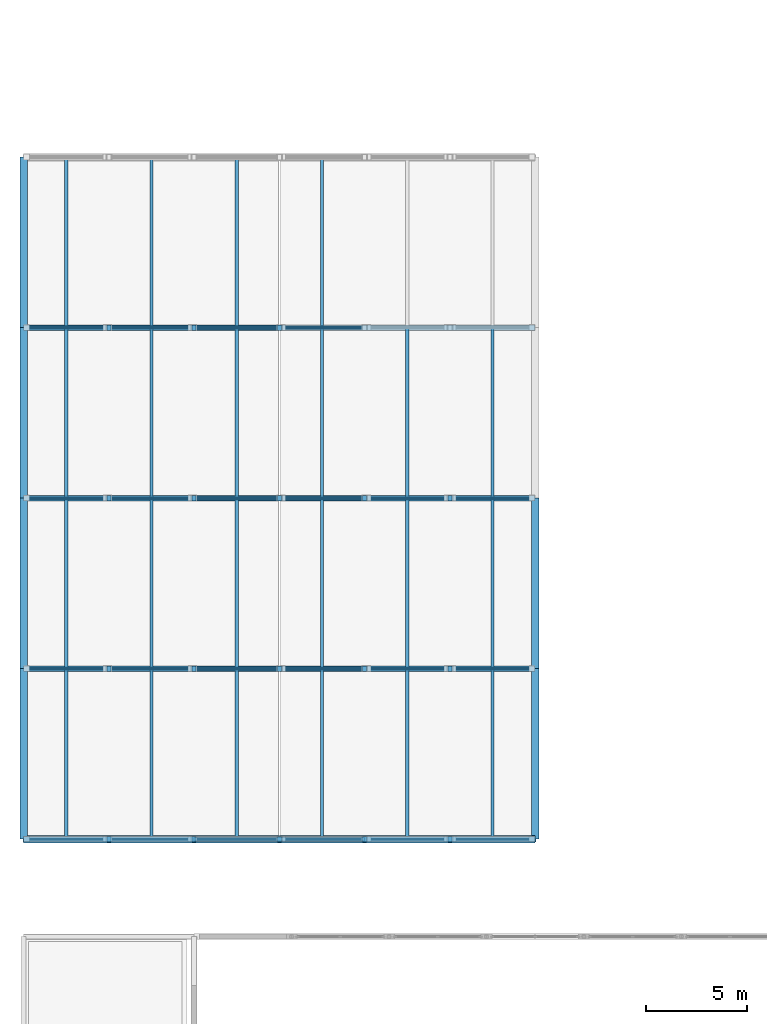
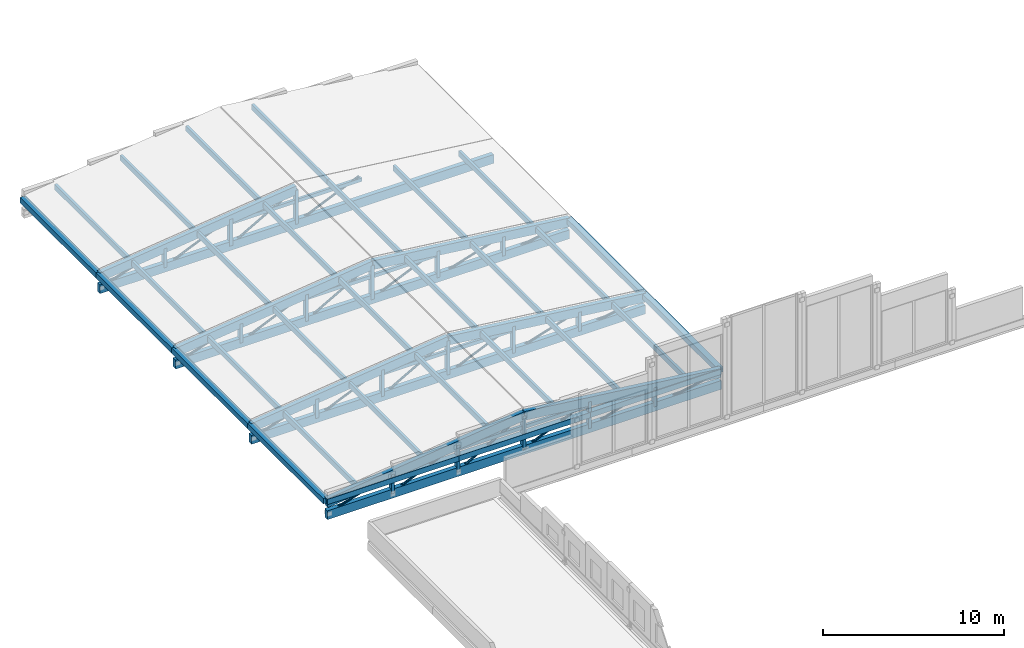
# One storey, part 9 of 34: 77 members, 9 beams.
"""IFC4 building model written with IfcOpenShell, lengths in metres."""

from ifc_helpers import new_model, si_unit, direction, frame, origin, origin_2d, place, context, subcontext, project, spatial, rectangle, hollow_circle, extrude, material, material_profile, profile_set, type_object, element, save


model = new_model("IFC4")

# Units and contexts
model_context = context("Model", 3, precision=1e-05, world=origin(), true_north=direction((0.0, 1.0)))
body_context = subcontext(model_context, "Body", "Model", "MODEL_VIEW")
ifc_project = project(units=[si_unit("LENGTHUNIT", "METRE"), si_unit("AREAUNIT", "SQUARE_METRE"), si_unit("VOLUMEUNIT", "CUBIC_METRE"), si_unit("PLANEANGLEUNIT", "RADIAN"), si_unit("MASSUNIT", "GRAM", prefix="KILO")], contexts=[model_context])

# Site, building, storey
site_placement = place(None, origin())
site = spatial("IfcSite", under=ifc_project, at=site_placement, CompositionType="ELEMENT")
building_placement = place(site_placement, origin())
building = spatial("IfcBuilding", under=site, at=building_placement, Name="Kahlenmark Community Centre", CompositionType="ELEMENT")
storey_placement = place(building_placement, frame((0.0, 0.0, 17.699951171875)))
storey = spatial("IfcBuildingStorey", under=building, at=storey_placement, Name="L04", CompositionType="ELEMENT", Elevation=17.699951171875)

# Beams
ifc_material_1 = material(Name="Glulam GL32h", Category="wood")
ifc_material_profile_1 = material_profile(ifc_material_1, rectangle(XDim=0.360107421875, YDim=0.360107421875, at=origin_2d()), Name="GL32h 360x360")
ifc_profile_set_1 = profile_set([ifc_material_profile_1], Name="Glulam GL32h")
beam_type = type_object("IfcBeamType", Name="BT-SPANDREL-GL32h360x360", PredefinedType="SPANDREL", material=ifc_profile_set_1)
beam_1_placement = place(storey_placement, frame((4.0, 42.39990234375, -0.3798828125), z_axis=(0.0, 1.0, 0.0), x_axis=(-1.0, 0.0, 0.0)))
element("IfcBeam", 1, at=beam_1_placement, inside=storey, type_object=beam_type, Name="L04 spandrel SP-EAV400", PredefinedType="SPANDREL", context=body_context, shape_type="SweptSolid", body=[
    extrude(rectangle(XDim=0.360107421875, YDim=0.360107421875, at=origin_2d()), origin(), (0.0, 0.0, 1.0), 8.400146484375),
])
beam_2_placement = place(storey_placement, frame((4.0, 50.800048828125, -0.3798828125), z_axis=(0.0, 1.0, 0.0), x_axis=(-1.0, 0.0, 0.0)))
element("IfcBeam", 2, at=beam_2_placement, inside=storey, type_object=beam_type, Name="L04 spandrel SP-EAV400", PredefinedType="SPANDREL", context=body_context, shape_type="SweptSolid", body=[
    extrude(rectangle(XDim=0.360107421875, YDim=0.360107421875, at=origin_2d()), origin(), (0.0, 0.0, 1.0), 8.39990234375),
])
beam_3_placement = place(storey_placement, frame((4.0, 59.199951171875, -0.3798828125), z_axis=(0.0, 1.0, 0.0), x_axis=(-1.0, 0.0, 0.0)))
element("IfcBeam", 3, at=beam_3_placement, inside=storey, type_object=beam_type, Name="L04 spandrel SP-EAV400", PredefinedType="SPANDREL", context=body_context, shape_type="SweptSolid", body=[
    extrude(rectangle(XDim=0.360107421875, YDim=0.360107421875, at=origin_2d()), origin(), (0.0, 0.0, 1.0), 8.400146484375),
])
beam_4_placement = place(storey_placement, frame((4.0, 67.60009765625, -0.3798828125), z_axis=(0.0, 1.0, 0.0), x_axis=(-1.0, 0.0, 0.0)))
element("IfcBeam", 4, at=beam_4_placement, inside=storey, type_object=beam_type, Name="L04 spandrel SP-EAV400", PredefinedType="SPANDREL", context=body_context, shape_type="SweptSolid", body=[
    extrude(rectangle(XDim=0.360107421875, YDim=0.360107421875, at=origin_2d()), origin(), (0.0, 0.0, 1.0), 8.39990234375),
])
beam_5_placement = place(storey_placement, frame((29.199951171875, 42.39990234375, -0.3798828125), z_axis=(0.0, 1.0, 0.0), x_axis=(-1.0, 0.0, 0.0)))
element("IfcBeam", 5, at=beam_5_placement, inside=storey, type_object=beam_type, Name="L04 spandrel SP-EAV400", PredefinedType="SPANDREL", context=body_context, shape_type="SweptSolid", body=[
    extrude(rectangle(XDim=0.360107421875, YDim=0.360107421875, at=origin_2d()), origin(), (0.0, 0.0, 1.0), 8.400146484375),
])
for number, where, z_axis, x_axis, name in (
    (6, (29.199951171875, 50.800048828125, -0.3798828125), (0.0, 1.0, 0.0), (-1.0, 0.0, 0.0), "L04 spandrel SP-EAV400"),
    (7, (4.0, 42.39990234375, -0.3798828125), (1.0, 0.0, 0.0), (0.0, 1.0, 0.0), "L04 spandrel SP-EAV400"),
):
    element("IfcBeam", number, at=place(storey_placement, frame(where, z_axis=z_axis, x_axis=x_axis)), inside=storey, type_object=beam_type, Name=name, PredefinedType="SPANDREL", context=body_context, shape_type="SweptSolid", body=[
        extrude(rectangle(XDim=0.360107421875, YDim=0.360107421875, at=origin_2d()), origin(), (0.0, 0.0, 1.0), 8.39990234375),
    ])
beam_6_placement = place(storey_placement, frame((12.39990234375, 42.39990234375, -0.3798828125), z_axis=(1.0, 0.0, 0.0), x_axis=(0.0, 1.0, 0.0)))
element("IfcBeam", 8, at=beam_6_placement, inside=storey, type_object=beam_type, Name="L04 spandrel SP-EAV400", PredefinedType="SPANDREL", context=body_context, shape_type="SweptSolid", body=[
    extrude(rectangle(XDim=0.360107421875, YDim=0.360107421875, at=origin_2d()), origin(), (0.0, 0.0, 1.0), 8.400146484375),
])
beam_7_placement = place(storey_placement, frame((20.800048828125, 42.39990234375, -0.3798828125), z_axis=(1.0, 0.0, 0.0), x_axis=(0.0, 1.0, 0.0)))
element("IfcBeam", 9, at=beam_7_placement, inside=storey, type_object=beam_type, Name="L04 spandrel SP-EAV400", PredefinedType="SPANDREL", context=body_context, shape_type="SweptSolid", body=[
    extrude(rectangle(XDim=0.360107421875, YDim=0.360107421875, at=origin_2d()), origin(), (0.0, 0.0, 1.0), 8.39990234375),
])

# Members
ifc_material_2 = material(Name="Steel S355", Category="steel")
ifc_material_profile_2 = material_profile(ifc_material_2, hollow_circle(Radius=0.06982421875, WallThickness=0.00634765625, at=origin_2d()), Name="CHS 139.7x6.3")
ifc_profile_set_2 = profile_set([ifc_material_profile_2], Name="Steel S355")
member_type_1 = type_object("IfcMemberType", Name="MT-BRACE-CHS139.7x6.3", PredefinedType="BRACE", material=ifc_profile_set_2)
member_1_placement = place(storey_placement, frame((4.14990234375, 42.39990234375, -1.25), z_axis=(0.955785476607, 0.0, 0.294064827388), x_axis=(0.0, 1.0, 0.0)))
element("IfcMember", 10, at=member_1_placement, inside=storey, type_object=member_type_1, Name="L04 brace ST-WEB-D", PredefinedType="BRACE", context=body_context, shape_type="SweptSolid", body=[
    extrude(hollow_circle(Radius=0.06982421875, WallThickness=0.00634765625, at=origin_2d()), origin(), (0.0, 0.0, 1.0), 4.08056640625),
])
member_2_placement = place(storey_placement, frame((8.35009765625, 42.39990234375, -1.25), z_axis=(0.916696503699, 0.0, 0.399584184003), x_axis=(0.0, 1.0, 0.0)))
element("IfcMember", 11, at=member_2_placement, inside=storey, type_object=member_type_1, Name="L04 brace ST-WEB-D", PredefinedType="BRACE", context=body_context, shape_type="SweptSolid", body=[
    extrude(hollow_circle(Radius=0.06982421875, WallThickness=0.00634765625, at=origin_2d()), origin(), (0.0, 0.0, 1.0), 4.25439453125),
])
member_3_placement = place(storey_placement, frame((12.550048828125, 42.39990234375, -1.25), z_axis=(0.870977869466, 0.0, 0.491322247512), x_axis=(0.0, 1.0, 0.0)))
element("IfcMember", 12, at=member_3_placement, inside=storey, type_object=member_type_1, Name="L04 brace ST-WEB-D", PredefinedType="BRACE", context=body_context, shape_type="SweptSolid", body=[
    extrude(hollow_circle(Radius=0.06982421875, WallThickness=0.00634765625, at=origin_2d()), origin(), (0.0, 0.0, 1.0), 4.4775390625),
])
member_4_placement = place(storey_placement, frame((16.75, 42.39990234375, -1.25), z_axis=(0.916696503699, 0.0, 0.399584184003), x_axis=(0.0, 1.0, 0.0)))
element("IfcMember", 13, at=member_4_placement, inside=storey, type_object=member_type_1, Name="L04 brace ST-WEB-D", PredefinedType="BRACE", context=body_context, shape_type="SweptSolid", body=[
    extrude(hollow_circle(Radius=0.06982421875, WallThickness=0.00634765625, at=origin_2d()), origin(), (0.0, 0.0, 1.0), 4.25439453125),
])
member_5_placement = place(storey_placement, frame((20.949951171875, 42.39990234375, -1.25), z_axis=(0.955785476607, 0.0, 0.294064827388), x_axis=(0.0, 1.0, 0.0)))
element("IfcMember", 14, at=member_5_placement, inside=storey, type_object=member_type_1, Name="L04 brace ST-WEB-D", PredefinedType="BRACE", context=body_context, shape_type="SweptSolid", body=[
    extrude(hollow_circle(Radius=0.06982421875, WallThickness=0.00634765625, at=origin_2d()), origin(), (0.0, 0.0, 1.0), 4.08056640625),
])
member_6_placement = place(storey_placement, frame((25.14990234375, 42.39990234375, -1.25), z_axis=(0.984274503337, 0.0, 0.176645696467), x_axis=(0.0, 1.0, 0.0)))
element("IfcMember", 15, at=member_6_placement, inside=storey, type_object=member_type_1, Name="L04 brace ST-WEB-D", PredefinedType="BRACE", context=body_context, shape_type="SweptSolid", body=[
    extrude(hollow_circle(Radius=0.06982421875, WallThickness=0.00634765625, at=origin_2d()), origin(), (0.0, 0.0, 1.0), 3.96240234375),
])
member_7_placement = place(storey_placement, frame((4.14990234375, 50.800048828125, -1.25), z_axis=(0.955785476607, 0.0, 0.294064827388), x_axis=(0.0, 1.0, 0.0)))
element("IfcMember", 16, at=member_7_placement, inside=storey, type_object=member_type_1, Name="L04 brace ST-WEB-D", PredefinedType="BRACE", context=body_context, shape_type="SweptSolid", body=[
    extrude(hollow_circle(Radius=0.06982421875, WallThickness=0.00634765625, at=origin_2d()), origin(), (0.0, 0.0, 1.0), 4.08056640625),
])
member_8_placement = place(storey_placement, frame((8.35009765625, 50.800048828125, -1.25), z_axis=(0.916696503699, 0.0, 0.399584184003), x_axis=(0.0, 1.0, 0.0)))
element("IfcMember", 17, at=member_8_placement, inside=storey, type_object=member_type_1, Name="L04 brace ST-WEB-D", PredefinedType="BRACE", context=body_context, shape_type="SweptSolid", body=[
    extrude(hollow_circle(Radius=0.06982421875, WallThickness=0.00634765625, at=origin_2d()), origin(), (0.0, 0.0, 1.0), 4.25439453125),
])
member_9_placement = place(storey_placement, frame((12.550048828125, 50.800048828125, -1.25), z_axis=(0.870977869466, 0.0, 0.491322247512), x_axis=(0.0, 1.0, 0.0)))
element("IfcMember", 18, at=member_9_placement, inside=storey, type_object=member_type_1, Name="L04 brace ST-WEB-D", PredefinedType="BRACE", context=body_context, shape_type="SweptSolid", body=[
    extrude(hollow_circle(Radius=0.06982421875, WallThickness=0.00634765625, at=origin_2d()), origin(), (0.0, 0.0, 1.0), 4.4775390625),
])
member_10_placement = place(storey_placement, frame((16.75, 50.800048828125, -1.25), z_axis=(0.916696503699, 0.0, 0.399584184003), x_axis=(0.0, 1.0, 0.0)))
element("IfcMember", 19, at=member_10_placement, inside=storey, type_object=member_type_1, Name="L04 brace ST-WEB-D", PredefinedType="BRACE", context=body_context, shape_type="SweptSolid", body=[
    extrude(hollow_circle(Radius=0.06982421875, WallThickness=0.00634765625, at=origin_2d()), origin(), (0.0, 0.0, 1.0), 4.25439453125),
])
member_11_placement = place(storey_placement, frame((20.949951171875, 50.800048828125, -1.25), z_axis=(0.955785476607, 0.0, 0.294064827388), x_axis=(0.0, 1.0, 0.0)))
element("IfcMember", 20, at=member_11_placement, inside=storey, type_object=member_type_1, Name="L04 brace ST-WEB-D", PredefinedType="BRACE", context=body_context, shape_type="SweptSolid", body=[
    extrude(hollow_circle(Radius=0.06982421875, WallThickness=0.00634765625, at=origin_2d()), origin(), (0.0, 0.0, 1.0), 4.08056640625),
])
member_12_placement = place(storey_placement, frame((25.14990234375, 50.800048828125, -1.25), z_axis=(0.984274503337, 0.0, 0.176645696467), x_axis=(0.0, 1.0, 0.0)))
element("IfcMember", 21, at=member_12_placement, inside=storey, type_object=member_type_1, Name="L04 brace ST-WEB-D", PredefinedType="BRACE", context=body_context, shape_type="SweptSolid", body=[
    extrude(hollow_circle(Radius=0.06982421875, WallThickness=0.00634765625, at=origin_2d()), origin(), (0.0, 0.0, 1.0), 3.96240234375),
])
member_13_placement = place(storey_placement, frame((4.14990234375, 59.199951171875, -1.25), z_axis=(0.955785476607, 0.0, 0.294064827388), x_axis=(0.0, 1.0, 0.0)))
element("IfcMember", 22, at=member_13_placement, inside=storey, type_object=member_type_1, Name="L04 brace ST-WEB-D", PredefinedType="BRACE", context=body_context, shape_type="SweptSolid", body=[
    extrude(hollow_circle(Radius=0.06982421875, WallThickness=0.00634765625, at=origin_2d()), origin(), (0.0, 0.0, 1.0), 4.08056640625),
])
member_14_placement = place(storey_placement, frame((8.35009765625, 59.199951171875, -1.25), z_axis=(0.916696503699, 0.0, 0.399584184003), x_axis=(0.0, 1.0, 0.0)))
element("IfcMember", 23, at=member_14_placement, inside=storey, type_object=member_type_1, Name="L04 brace ST-WEB-D", PredefinedType="BRACE", context=body_context, shape_type="SweptSolid", body=[
    extrude(hollow_circle(Radius=0.06982421875, WallThickness=0.00634765625, at=origin_2d()), origin(), (0.0, 0.0, 1.0), 4.25439453125),
])
member_15_placement = place(storey_placement, frame((12.550048828125, 59.199951171875, -1.25), z_axis=(0.870977869466, 0.0, 0.491322247512), x_axis=(0.0, 1.0, 0.0)))
element("IfcMember", 24, at=member_15_placement, inside=storey, type_object=member_type_1, Name="L04 brace ST-WEB-D", PredefinedType="BRACE", context=body_context, shape_type="SweptSolid", body=[
    extrude(hollow_circle(Radius=0.06982421875, WallThickness=0.00634765625, at=origin_2d()), origin(), (0.0, 0.0, 1.0), 4.4775390625),
])
member_16_placement = place(storey_placement, frame((16.75, 59.199951171875, -1.25), z_axis=(0.916696503699, 0.0, 0.399584184003), x_axis=(0.0, 1.0, 0.0)))
element("IfcMember", 25, at=member_16_placement, inside=storey, type_object=member_type_1, Name="L04 brace ST-WEB-D", PredefinedType="BRACE", context=body_context, shape_type="SweptSolid", body=[
    extrude(hollow_circle(Radius=0.06982421875, WallThickness=0.00634765625, at=origin_2d()), origin(), (0.0, 0.0, 1.0), 4.25439453125),
])
member_17_placement = place(storey_placement, frame((20.949951171875, 59.199951171875, -1.25), z_axis=(0.955785476607, 0.0, 0.294064827388), x_axis=(0.0, 1.0, 0.0)))
element("IfcMember", 26, at=member_17_placement, inside=storey, type_object=member_type_1, Name="L04 brace ST-WEB-D", PredefinedType="BRACE", context=body_context, shape_type="SweptSolid", body=[
    extrude(hollow_circle(Radius=0.06982421875, WallThickness=0.00634765625, at=origin_2d()), origin(), (0.0, 0.0, 1.0), 4.08056640625),
])
member_18_placement = place(storey_placement, frame((25.14990234375, 59.199951171875, -1.25), z_axis=(0.984274503337, 0.0, 0.176645696467), x_axis=(0.0, 1.0, 0.0)))
element("IfcMember", 27, at=member_18_placement, inside=storey, type_object=member_type_1, Name="L04 brace ST-WEB-D", PredefinedType="BRACE", context=body_context, shape_type="SweptSolid", body=[
    extrude(hollow_circle(Radius=0.06982421875, WallThickness=0.00634765625, at=origin_2d()), origin(), (0.0, 0.0, 1.0), 3.96240234375),
])
member_19_placement = place(storey_placement, frame((4.14990234375, 67.60009765625, -1.25), z_axis=(0.955785476607, 0.0, 0.294064827388), x_axis=(0.0, 1.0, 0.0)))
element("IfcMember", 28, at=member_19_placement, inside=storey, type_object=member_type_1, Name="L04 brace ST-WEB-D", PredefinedType="BRACE", context=body_context, shape_type="SweptSolid", body=[
    extrude(hollow_circle(Radius=0.06982421875, WallThickness=0.00634765625, at=origin_2d()), origin(), (0.0, 0.0, 1.0), 4.08056640625),
])
member_20_placement = place(storey_placement, frame((8.35009765625, 67.60009765625, -1.25), z_axis=(0.916696503699, 0.0, 0.399584184003), x_axis=(0.0, 1.0, 0.0)))
element("IfcMember", 29, at=member_20_placement, inside=storey, type_object=member_type_1, Name="L04 brace ST-WEB-D", PredefinedType="BRACE", context=body_context, shape_type="SweptSolid", body=[
    extrude(hollow_circle(Radius=0.06982421875, WallThickness=0.00634765625, at=origin_2d()), origin(), (0.0, 0.0, 1.0), 4.25439453125),
])
member_21_placement = place(storey_placement, frame((12.550048828125, 67.60009765625, -1.25), z_axis=(0.870977869466, 0.0, 0.491322247512), x_axis=(0.0, 1.0, 0.0)))
element("IfcMember", 30, at=member_21_placement, inside=storey, type_object=member_type_1, Name="L04 brace ST-WEB-D", PredefinedType="BRACE", context=body_context, shape_type="SweptSolid", body=[
    extrude(hollow_circle(Radius=0.06982421875, WallThickness=0.00634765625, at=origin_2d()), origin(), (0.0, 0.0, 1.0), 4.4775390625),
])
member_22_placement = place(storey_placement, frame((16.75, 67.60009765625, -1.25), z_axis=(0.916696503699, 0.0, 0.399584184003), x_axis=(0.0, 1.0, 0.0)))
element("IfcMember", 31, at=member_22_placement, inside=storey, type_object=member_type_1, Name="L04 brace ST-WEB-D", PredefinedType="BRACE", context=body_context, shape_type="SweptSolid", body=[
    extrude(hollow_circle(Radius=0.06982421875, WallThickness=0.00634765625, at=origin_2d()), origin(), (0.0, 0.0, 1.0), 4.25439453125),
])
ifc_material_profile_3 = material_profile(ifc_material_1, rectangle(XDim=0.280029296875, YDim=0.60009765625, at=origin_2d()), Name="GL32h 280x600")
ifc_profile_set_3 = profile_set([ifc_material_profile_3], Name="Glulam GL32h")
member_type_2 = type_object("IfcMemberType", Name="MT-CHORD-GL32h280x600", PredefinedType="CHORD", material=ifc_profile_set_3)
member_23_placement = place(storey_placement, frame((4.0, 42.39990234375, -1.300048828125), z_axis=(1.0, 0.0, 0.0), x_axis=(0.0, 1.0, 0.0)))
element("IfcMember", 32, at=member_23_placement, inside=storey, type_object=member_type_2, Name="L04 chord ST-BC", PredefinedType="CHORD", context=body_context, shape_type="SweptSolid", body=[
    extrude(rectangle(XDim=0.280029296875, YDim=0.60009765625, at=origin_2d()), origin(), (0.0, 0.0, 1.0), 25.199951171875),
])
member_24_placement = place(storey_placement, frame((4.0, 42.39990234375, -0.5), z_axis=(0.992988381742, 0.0, 0.118211986387), x_axis=(0.0, 1.0, 0.0)))
element("IfcMember", 33, at=member_24_placement, inside=storey, type_object=member_type_2, Name="L04 chord ST-TC", PredefinedType="CHORD", context=body_context, shape_type="SweptSolid", body=[
    extrude(rectangle(XDim=0.280029296875, YDim=0.60009765625, at=origin_2d()), origin(), (0.0, 0.0, 1.0), 12.68896484375),
])
member_25_placement = place(storey_placement, frame((16.60009765625, 42.39990234375, 1.0), z_axis=(0.99298811287, 0.0, -0.118214244908), x_axis=(0.0, 1.0, 0.0)))
element("IfcMember", 34, at=member_25_placement, inside=storey, type_object=member_type_2, Name="L04 chord ST-TC", PredefinedType="CHORD", context=body_context, shape_type="SweptSolid", body=[
    extrude(rectangle(XDim=0.280029296875, YDim=0.60009765625, at=origin_2d()), origin(), (0.0, 0.0, 1.0), 12.688720703125),
])
member_26_placement = place(storey_placement, frame((4.0, 50.800048828125, -1.300048828125), z_axis=(1.0, 0.0, 0.0), x_axis=(0.0, 1.0, 0.0)))
element("IfcMember", 35, at=member_26_placement, inside=storey, type_object=member_type_2, Name="L04 chord ST-BC", PredefinedType="CHORD", context=body_context, shape_type="SweptSolid", body=[
    extrude(rectangle(XDim=0.280029296875, YDim=0.60009765625, at=origin_2d()), origin(), (0.0, 0.0, 1.0), 25.199951171875),
])
member_27_placement = place(storey_placement, frame((4.0, 50.800048828125, -0.5), z_axis=(0.992988381742, 0.0, 0.118211986387), x_axis=(0.0, 1.0, 0.0)))
element("IfcMember", 36, at=member_27_placement, inside=storey, type_object=member_type_2, Name="L04 chord ST-TC", PredefinedType="CHORD", context=body_context, shape_type="SweptSolid", body=[
    extrude(rectangle(XDim=0.280029296875, YDim=0.60009765625, at=origin_2d()), origin(), (0.0, 0.0, 1.0), 12.68896484375),
])
member_28_placement = place(storey_placement, frame((16.60009765625, 50.800048828125, 1.0), z_axis=(0.99298811287, 0.0, -0.118214244908), x_axis=(0.0, 1.0, 0.0)))
element("IfcMember", 37, at=member_28_placement, inside=storey, type_object=member_type_2, Name="L04 chord ST-TC", PredefinedType="CHORD", context=body_context, shape_type="SweptSolid", body=[
    extrude(rectangle(XDim=0.280029296875, YDim=0.60009765625, at=origin_2d()), origin(), (0.0, 0.0, 1.0), 12.688720703125),
])
member_29_placement = place(storey_placement, frame((4.0, 59.199951171875, -1.300048828125), z_axis=(1.0, 0.0, 0.0), x_axis=(0.0, 1.0, 0.0)))
element("IfcMember", 38, at=member_29_placement, inside=storey, type_object=member_type_2, Name="L04 chord ST-BC", PredefinedType="CHORD", context=body_context, shape_type="SweptSolid", body=[
    extrude(rectangle(XDim=0.280029296875, YDim=0.60009765625, at=origin_2d()), origin(), (0.0, 0.0, 1.0), 25.199951171875),
])
member_30_placement = place(storey_placement, frame((4.0, 59.199951171875, -0.5), z_axis=(0.992988381742, 0.0, 0.118211986387), x_axis=(0.0, 1.0, 0.0)))
element("IfcMember", 39, at=member_30_placement, inside=storey, type_object=member_type_2, Name="L04 chord ST-TC", PredefinedType="CHORD", context=body_context, shape_type="SweptSolid", body=[
    extrude(rectangle(XDim=0.280029296875, YDim=0.60009765625, at=origin_2d()), origin(), (0.0, 0.0, 1.0), 12.68896484375),
])
member_31_placement = place(storey_placement, frame((16.60009765625, 59.199951171875, 1.0), z_axis=(0.99298811287, 0.0, -0.118214244908), x_axis=(0.0, 1.0, 0.0)))
element("IfcMember", 40, at=member_31_placement, inside=storey, type_object=member_type_2, Name="L04 chord ST-TC", PredefinedType="CHORD", context=body_context, shape_type="SweptSolid", body=[
    extrude(rectangle(XDim=0.280029296875, YDim=0.60009765625, at=origin_2d()), origin(), (0.0, 0.0, 1.0), 12.688720703125),
])
member_32_placement = place(storey_placement, frame((4.0, 67.60009765625, -1.300048828125), z_axis=(1.0, 0.0, 0.0), x_axis=(0.0, 1.0, 0.0)))
element("IfcMember", 41, at=member_32_placement, inside=storey, type_object=member_type_2, Name="L04 chord ST-BC", PredefinedType="CHORD", context=body_context, shape_type="SweptSolid", body=[
    extrude(rectangle(XDim=0.280029296875, YDim=0.60009765625, at=origin_2d()), origin(), (0.0, 0.0, 1.0), 25.199951171875),
])
member_33_placement = place(storey_placement, frame((4.0, 67.60009765625, -0.5), z_axis=(0.992988381742, 0.0, 0.118211986387), x_axis=(0.0, 1.0, 0.0)))
element("IfcMember", 42, at=member_33_placement, inside=storey, type_object=member_type_2, Name="L04 chord ST-TC", PredefinedType="CHORD", context=body_context, shape_type="SweptSolid", body=[
    extrude(rectangle(XDim=0.280029296875, YDim=0.60009765625, at=origin_2d()), origin(), (0.0, 0.0, 1.0), 12.68896484375),
])
ifc_material_3 = material(Name="Glulam GL28h", Category="wood")
ifc_material_profile_4 = material_profile(ifc_material_3, rectangle(XDim=0.159912109375, YDim=0.239990234375, at=origin_2d()), Name="GL28h 160x240")
ifc_profile_set_4 = profile_set([ifc_material_profile_4], Name="Glulam GL28h")
member_type_3 = type_object("IfcMemberType", Name="MT-COLLAR-GL28h160x240", PredefinedType="COLLAR", material=ifc_profile_set_4)
for number, where, z_axis, x_axis, name in (
    (43, (12.39990234375, 42.39990234375, 0.199951171875), (1.0, 0.0, 0.0), (0.0, 1.0, 0.0), "L04 collar ST-COL"),
    (44, (12.39990234375, 50.800048828125, 0.199951171875), (1.0, 0.0, 0.0), (0.0, 1.0, 0.0), "L04 collar ST-COL"),
    (45, (12.39990234375, 59.199951171875, 0.199951171875), (1.0, 0.0, 0.0), (0.0, 1.0, 0.0), "L04 collar ST-COL"),
    (46, (12.39990234375, 67.60009765625, 0.199951171875), (1.0, 0.0, 0.0), (0.0, 1.0, 0.0), "L04 collar ST-COL"),
):
    element("IfcMember", number, at=place(storey_placement, frame(where, z_axis=z_axis, x_axis=x_axis)), inside=storey, type_object=member_type_3, Name=name, PredefinedType="COLLAR", context=body_context, shape_type="SweptSolid", body=[
        extrude(rectangle(XDim=0.159912109375, YDim=0.239990234375, at=origin_2d()), origin(), (0.0, 0.0, 1.0), 8.400146484375),
    ])
ifc_material_profile_5 = material_profile(ifc_material_3, rectangle(XDim=0.159912109375, YDim=0.360107421875, at=origin_2d()), Name="GL28h 160x360")
ifc_profile_set_5 = profile_set([ifc_material_profile_5], Name="Glulam GL28h")
member_type_4 = type_object("IfcMemberType", Name="MT-PURLIN-GL28h160x360", PredefinedType="PURLIN", material=ifc_profile_set_5)
for number, where, z_axis, x_axis, name in (
    (47, (6.10009765625, 42.39990234375, -0.25), (0.0, 1.0, 0.0), (-1.0, 0.0, 0.0), "L04 purlin PR-SP360"),
    (48, (10.300048828125, 42.39990234375, 0.25), (0.0, 1.0, 0.0), (-1.0, 0.0, 0.0), "L04 purlin PR-SP360"),
    (49, (14.5, 42.39990234375, 0.75), (0.0, 1.0, 0.0), (-1.0, 0.0, 0.0), "L04 purlin PR-SP360"),
    (50, (18.699951171875, 42.39990234375, 0.75), (0.0, 1.0, 0.0), (-1.0, 0.0, 0.0), "L04 purlin PR-SP360"),
    (51, (22.89990234375, 42.39990234375, 0.25), (0.0, 1.0, 0.0), (-1.0, 0.0, 0.0), "L04 purlin PR-SP360"),
    (52, (27.10009765625, 42.39990234375, -0.25), (0.0, 1.0, 0.0), (-1.0, 0.0, 0.0), "L04 purlin PR-SP360"),
):
    element("IfcMember", number, at=place(storey_placement, frame(where, z_axis=z_axis, x_axis=x_axis)), inside=storey, type_object=member_type_4, Name=name, PredefinedType="PURLIN", context=body_context, shape_type="SweptSolid", body=[
        extrude(rectangle(XDim=0.159912109375, YDim=0.360107421875, at=origin_2d()), origin(), (0.0, 0.0, 1.0), 8.400146484375),
    ])
for number, where, z_axis, x_axis, name in (
    (53, (6.10009765625, 50.800048828125, -0.25), (0.0, 1.0, 0.0), (-1.0, 0.0, 0.0), "L04 purlin PR-SP360"),
    (54, (10.300048828125, 50.800048828125, 0.25), (0.0, 1.0, 0.0), (-1.0, 0.0, 0.0), "L04 purlin PR-SP360"),
    (55, (14.5, 50.800048828125, 0.75), (0.0, 1.0, 0.0), (-1.0, 0.0, 0.0), "L04 purlin PR-SP360"),
    (56, (18.699951171875, 50.800048828125, 0.75), (0.0, 1.0, 0.0), (-1.0, 0.0, 0.0), "L04 purlin PR-SP360"),
    (57, (22.89990234375, 50.800048828125, 0.25), (0.0, 1.0, 0.0), (-1.0, 0.0, 0.0), "L04 purlin PR-SP360"),
    (58, (27.10009765625, 50.800048828125, -0.25), (0.0, 1.0, 0.0), (-1.0, 0.0, 0.0), "L04 purlin PR-SP360"),
):
    element("IfcMember", number, at=place(storey_placement, frame(where, z_axis=z_axis, x_axis=x_axis)), inside=storey, type_object=member_type_4, Name=name, PredefinedType="PURLIN", context=body_context, shape_type="SweptSolid", body=[
        extrude(rectangle(XDim=0.159912109375, YDim=0.360107421875, at=origin_2d()), origin(), (0.0, 0.0, 1.0), 8.39990234375),
    ])
for number, where, z_axis, x_axis, name in (
    (59, (6.10009765625, 59.199951171875, -0.25), (0.0, 1.0, 0.0), (-1.0, 0.0, 0.0), "L04 purlin PR-SP360"),
    (60, (10.300048828125, 59.199951171875, 0.25), (0.0, 1.0, 0.0), (-1.0, 0.0, 0.0), "L04 purlin PR-SP360"),
    (61, (14.5, 59.199951171875, 0.75), (0.0, 1.0, 0.0), (-1.0, 0.0, 0.0), "L04 purlin PR-SP360"),
    (62, (18.699951171875, 59.199951171875, 0.75), (0.0, 1.0, 0.0), (-1.0, 0.0, 0.0), "L04 purlin PR-SP360"),
    (63, (22.89990234375, 59.199951171875, 0.25), (0.0, 1.0, 0.0), (-1.0, 0.0, 0.0), "L04 purlin PR-SP360"),
    (64, (27.10009765625, 59.199951171875, -0.25), (0.0, 1.0, 0.0), (-1.0, 0.0, 0.0), "L04 purlin PR-SP360"),
):
    element("IfcMember", number, at=place(storey_placement, frame(where, z_axis=z_axis, x_axis=x_axis)), inside=storey, type_object=member_type_4, Name=name, PredefinedType="PURLIN", context=body_context, shape_type="SweptSolid", body=[
        extrude(rectangle(XDim=0.159912109375, YDim=0.360107421875, at=origin_2d()), origin(), (0.0, 0.0, 1.0), 8.400146484375),
    ])
for number, where, z_axis, x_axis, name in (
    (65, (6.10009765625, 67.60009765625, -0.25), (0.0, 1.0, 0.0), (-1.0, 0.0, 0.0), "L04 purlin PR-SP360"),
    (66, (10.300048828125, 67.60009765625, 0.25), (0.0, 1.0, 0.0), (-1.0, 0.0, 0.0), "L04 purlin PR-SP360"),
    (67, (14.5, 67.60009765625, 0.75), (0.0, 1.0, 0.0), (-1.0, 0.0, 0.0), "L04 purlin PR-SP360"),
    (68, (18.699951171875, 67.60009765625, 0.75), (0.0, 1.0, 0.0), (-1.0, 0.0, 0.0), "L04 purlin PR-SP360"),
):
    element("IfcMember", number, at=place(storey_placement, frame(where, z_axis=z_axis, x_axis=x_axis)), inside=storey, type_object=member_type_4, Name=name, PredefinedType="PURLIN", context=body_context, shape_type="SweptSolid", body=[
        extrude(rectangle(XDim=0.159912109375, YDim=0.360107421875, at=origin_2d()), origin(), (0.0, 0.0, 1.0), 8.39990234375),
    ])
ifc_material_profile_6 = material_profile(ifc_material_3, rectangle(XDim=0.199951171875, YDim=0.280029296875, at=origin_2d()), Name="GL28h 200x280")
ifc_profile_set_6 = profile_set([ifc_material_profile_6], Name="Glulam GL28h")
member_type_5 = type_object("IfcMemberType", Name="MT-STRUT-GL28h200x280", PredefinedType="STRUT", material=ifc_profile_set_6)
member_34_placement = place(storey_placement, frame((8.199951171875, 42.39990234375, -1.300048828125), z_axis=(0.0, 0.0, 1.0), x_axis=(1.0, 0.0, 0.0)))
element("IfcMember", 69, at=member_34_placement, inside=storey, type_object=member_type_5, Name="L04 strut ST-WEB-V", PredefinedType="STRUT", context=body_context, shape_type="SweptSolid", body=[
    extrude(rectangle(XDim=0.199951171875, YDim=0.280029296875, at=origin_2d()), origin(), (0.0, 0.0, 1.0), 1.300048828125),
])
member_35_placement = place(storey_placement, frame((12.39990234375, 42.39990234375, -1.300048828125), z_axis=(0.0, 0.0, 1.0), x_axis=(1.0, 0.0, 0.0)))
element("IfcMember", 70, at=member_35_placement, inside=storey, type_object=member_type_5, Name="L04 strut ST-WEB-V", PredefinedType="STRUT", context=body_context, shape_type="SweptSolid", body=[
    extrude(rectangle(XDim=0.199951171875, YDim=0.280029296875, at=origin_2d()), origin(), (0.0, 0.0, 1.0), 1.800048828125),
])
member_36_placement = place(storey_placement, frame((16.60009765625, 42.39990234375, -1.300048828125), z_axis=(0.0, 0.0, 1.0), x_axis=(1.0, 0.0, 0.0)))
element("IfcMember", 71, at=member_36_placement, inside=storey, type_object=member_type_5, Name="L04 strut ST-WEB-V", PredefinedType="STRUT", context=body_context, shape_type="SweptSolid", body=[
    extrude(rectangle(XDim=0.199951171875, YDim=0.280029296875, at=origin_2d()), origin(), (0.0, 0.0, 1.0), 2.300048828125),
])
member_37_placement = place(storey_placement, frame((20.800048828125, 42.39990234375, -1.300048828125), z_axis=(0.0, 0.0, 1.0), x_axis=(1.0, 0.0, 0.0)))
element("IfcMember", 72, at=member_37_placement, inside=storey, type_object=member_type_5, Name="L04 strut ST-WEB-V", PredefinedType="STRUT", context=body_context, shape_type="SweptSolid", body=[
    extrude(rectangle(XDim=0.199951171875, YDim=0.280029296875, at=origin_2d()), origin(), (0.0, 0.0, 1.0), 1.800048828125),
])
for number, where, z_axis, x_axis, name in (
    (73, (25.0, 42.39990234375, -1.300048828125), (0.0, 0.0, 1.0), (1.0, 0.0, 0.0), "L04 strut ST-WEB-V"),
    (74, (8.199951171875, 50.800048828125, -1.300048828125), (0.0, 0.0, 1.0), (1.0, 0.0, 0.0), "L04 strut ST-WEB-V"),
):
    element("IfcMember", number, at=place(storey_placement, frame(where, z_axis=z_axis, x_axis=x_axis)), inside=storey, type_object=member_type_5, Name=name, PredefinedType="STRUT", context=body_context, shape_type="SweptSolid", body=[
        extrude(rectangle(XDim=0.199951171875, YDim=0.280029296875, at=origin_2d()), origin(), (0.0, 0.0, 1.0), 1.300048828125),
    ])
member_38_placement = place(storey_placement, frame((12.39990234375, 50.800048828125, -1.300048828125), z_axis=(0.0, 0.0, 1.0), x_axis=(1.0, 0.0, 0.0)))
element("IfcMember", 75, at=member_38_placement, inside=storey, type_object=member_type_5, Name="L04 strut ST-WEB-V", PredefinedType="STRUT", context=body_context, shape_type="SweptSolid", body=[
    extrude(rectangle(XDim=0.199951171875, YDim=0.280029296875, at=origin_2d()), origin(), (0.0, 0.0, 1.0), 1.800048828125),
])
member_39_placement = place(storey_placement, frame((16.60009765625, 50.800048828125, -1.300048828125), z_axis=(0.0, 0.0, 1.0), x_axis=(1.0, 0.0, 0.0)))
element("IfcMember", 76, at=member_39_placement, inside=storey, type_object=member_type_5, Name="L04 strut ST-WEB-V", PredefinedType="STRUT", context=body_context, shape_type="SweptSolid", body=[
    extrude(rectangle(XDim=0.199951171875, YDim=0.280029296875, at=origin_2d()), origin(), (0.0, 0.0, 1.0), 2.300048828125),
])
member_40_placement = place(storey_placement, frame((20.800048828125, 50.800048828125, -1.300048828125), z_axis=(0.0, 0.0, 1.0), x_axis=(1.0, 0.0, 0.0)))
element("IfcMember", 77, at=member_40_placement, inside=storey, type_object=member_type_5, Name="L04 strut ST-WEB-V", PredefinedType="STRUT", context=body_context, shape_type="SweptSolid", body=[
    extrude(rectangle(XDim=0.199951171875, YDim=0.280029296875, at=origin_2d()), origin(), (0.0, 0.0, 1.0), 1.800048828125),
])
for number, where, z_axis, x_axis, name in (
    (78, (25.0, 50.800048828125, -1.300048828125), (0.0, 0.0, 1.0), (1.0, 0.0, 0.0), "L04 strut ST-WEB-V"),
    (79, (8.199951171875, 59.199951171875, -1.300048828125), (0.0, 0.0, 1.0), (1.0, 0.0, 0.0), "L04 strut ST-WEB-V"),
):
    element("IfcMember", number, at=place(storey_placement, frame(where, z_axis=z_axis, x_axis=x_axis)), inside=storey, type_object=member_type_5, Name=name, PredefinedType="STRUT", context=body_context, shape_type="SweptSolid", body=[
        extrude(rectangle(XDim=0.199951171875, YDim=0.280029296875, at=origin_2d()), origin(), (0.0, 0.0, 1.0), 1.300048828125),
    ])
member_41_placement = place(storey_placement, frame((12.39990234375, 59.199951171875, -1.300048828125), z_axis=(0.0, 0.0, 1.0), x_axis=(1.0, 0.0, 0.0)))
element("IfcMember", 80, at=member_41_placement, inside=storey, type_object=member_type_5, Name="L04 strut ST-WEB-V", PredefinedType="STRUT", context=body_context, shape_type="SweptSolid", body=[
    extrude(rectangle(XDim=0.199951171875, YDim=0.280029296875, at=origin_2d()), origin(), (0.0, 0.0, 1.0), 1.800048828125),
])
member_42_placement = place(storey_placement, frame((16.60009765625, 59.199951171875, -1.300048828125), z_axis=(0.0, 0.0, 1.0), x_axis=(1.0, 0.0, 0.0)))
element("IfcMember", 81, at=member_42_placement, inside=storey, type_object=member_type_5, Name="L04 strut ST-WEB-V", PredefinedType="STRUT", context=body_context, shape_type="SweptSolid", body=[
    extrude(rectangle(XDim=0.199951171875, YDim=0.280029296875, at=origin_2d()), origin(), (0.0, 0.0, 1.0), 2.300048828125),
])
member_43_placement = place(storey_placement, frame((20.800048828125, 59.199951171875, -1.300048828125), z_axis=(0.0, 0.0, 1.0), x_axis=(1.0, 0.0, 0.0)))
element("IfcMember", 82, at=member_43_placement, inside=storey, type_object=member_type_5, Name="L04 strut ST-WEB-V", PredefinedType="STRUT", context=body_context, shape_type="SweptSolid", body=[
    extrude(rectangle(XDim=0.199951171875, YDim=0.280029296875, at=origin_2d()), origin(), (0.0, 0.0, 1.0), 1.800048828125),
])
for number, where, z_axis, x_axis, name in (
    (83, (25.0, 59.199951171875, -1.300048828125), (0.0, 0.0, 1.0), (1.0, 0.0, 0.0), "L04 strut ST-WEB-V"),
    (84, (8.199951171875, 67.60009765625, -1.300048828125), (0.0, 0.0, 1.0), (1.0, 0.0, 0.0), "L04 strut ST-WEB-V"),
):
    element("IfcMember", number, at=place(storey_placement, frame(where, z_axis=z_axis, x_axis=x_axis)), inside=storey, type_object=member_type_5, Name=name, PredefinedType="STRUT", context=body_context, shape_type="SweptSolid", body=[
        extrude(rectangle(XDim=0.199951171875, YDim=0.280029296875, at=origin_2d()), origin(), (0.0, 0.0, 1.0), 1.300048828125),
    ])
member_44_placement = place(storey_placement, frame((12.39990234375, 67.60009765625, -1.300048828125), z_axis=(0.0, 0.0, 1.0), x_axis=(1.0, 0.0, 0.0)))
element("IfcMember", 85, at=member_44_placement, inside=storey, type_object=member_type_5, Name="L04 strut ST-WEB-V", PredefinedType="STRUT", context=body_context, shape_type="SweptSolid", body=[
    extrude(rectangle(XDim=0.199951171875, YDim=0.280029296875, at=origin_2d()), origin(), (0.0, 0.0, 1.0), 1.800048828125),
])
member_45_placement = place(storey_placement, frame((16.60009765625, 67.60009765625, -1.300048828125), z_axis=(0.0, 0.0, 1.0), x_axis=(1.0, 0.0, 0.0)))
element("IfcMember", 86, at=member_45_placement, inside=storey, type_object=member_type_5, Name="L04 strut ST-WEB-V", PredefinedType="STRUT", context=body_context, shape_type="SweptSolid", body=[
    extrude(rectangle(XDim=0.199951171875, YDim=0.280029296875, at=origin_2d()), origin(), (0.0, 0.0, 1.0), 2.300048828125),
])

save(model, "model.ifc")
